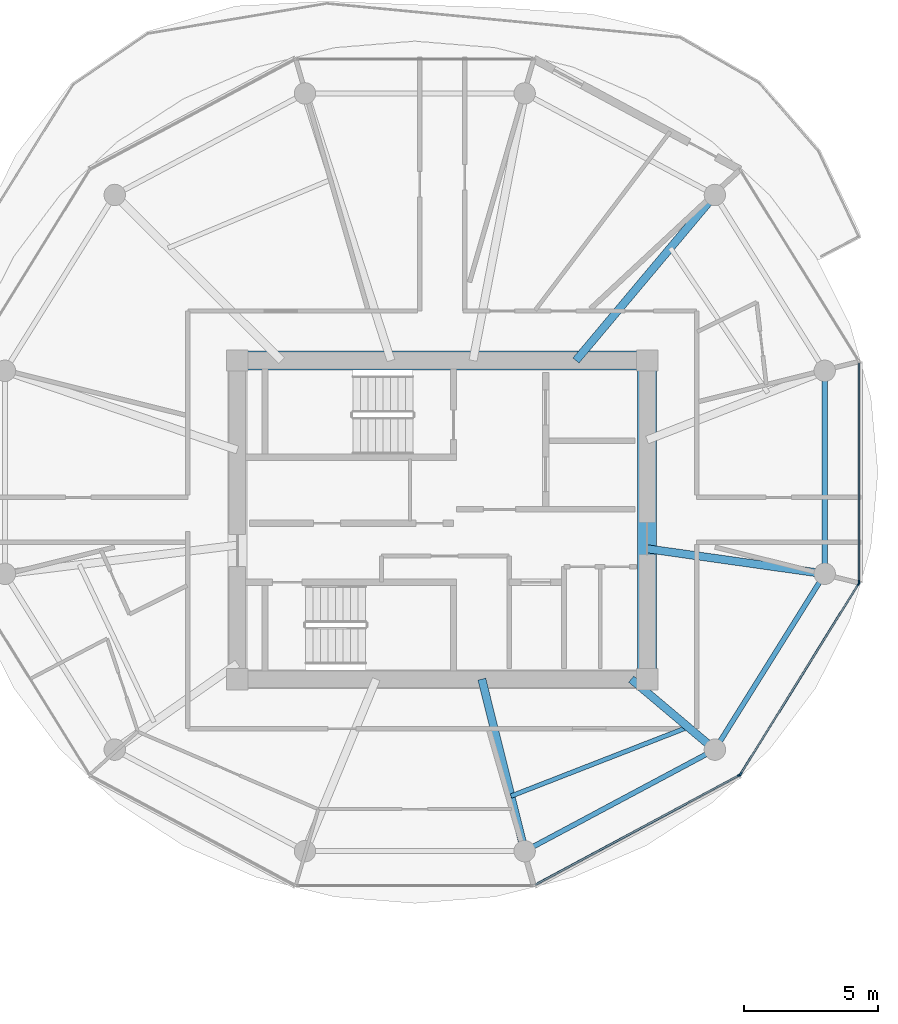
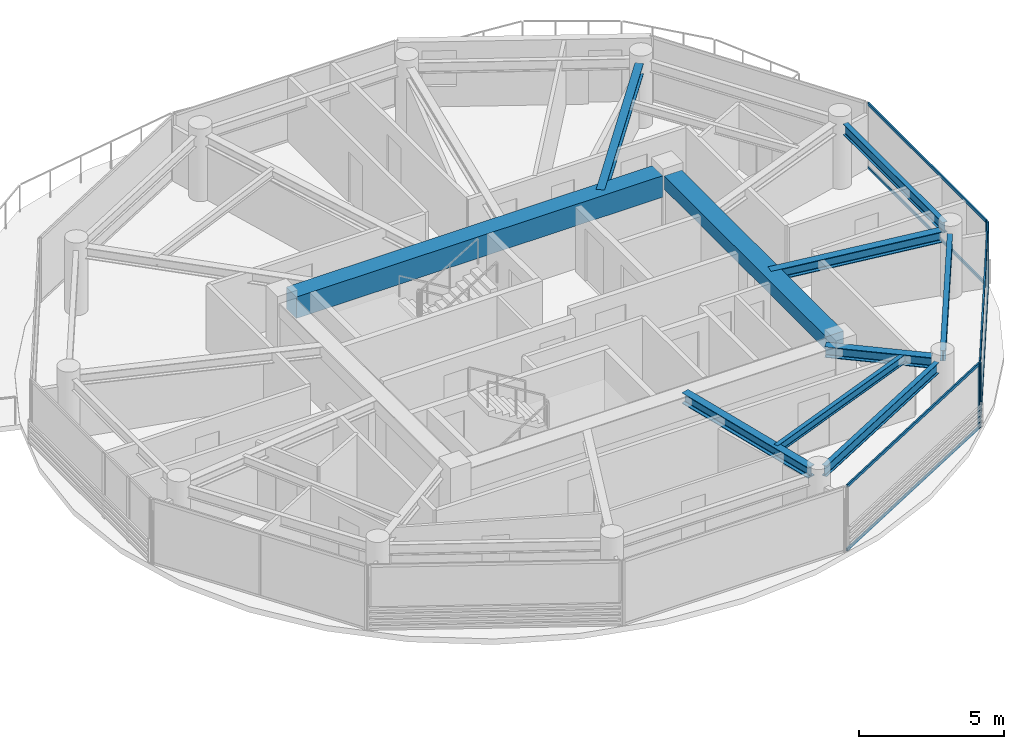
# One storey, part 9 of 22: 10 beams, 10 members, 3 elements without a shape of their own.
"""IFC4 building model written with IfcOpenShell, lengths in metres."""

from ifc_helpers import new_model, si_unit, direction, frame, origin, origin_2d, place, context, subcontext, project, spatial, rectangle, i_section, extrude, source, transform, mapped, material, layer, layer_set, material_profile, profile_set, type_object, type_shapes, element, aggregate, save


model = new_model("IFC4")

# Units and contexts
model_context = context("Model", 3, precision=1e-05, world=origin(), true_north=direction((0.0, 1.0)))
body_context = subcontext(model_context, "Body", "Model", "MODEL_VIEW")
ifc_project = project(units=[si_unit("LENGTHUNIT", "METRE"), si_unit("AREAUNIT", "SQUARE_METRE"), si_unit("VOLUMEUNIT", "CUBIC_METRE"), si_unit("PLANEANGLEUNIT", "RADIAN"), si_unit("MASSUNIT", "GRAM", prefix="KILO")], contexts=[model_context])

# Site, building, storey
site_placement = place(None, origin())
site = spatial("IfcSite", under=ifc_project, at=site_placement, CompositionType="ELEMENT")
building_placement = place(site_placement, origin())
building = spatial("IfcBuilding", under=site, at=building_placement, Name="Norrkilde Senior Care Towers", CompositionType="ELEMENT")
storey_placement = place(building_placement, frame((0.0, 0.0, 183.10009765625)))
storey = spatial("IfcBuildingStorey", under=building, at=storey_placement, Name="L57", CompositionType="ELEMENT", Elevation=183.10009765625)

# Beams
ifc_material_1 = material(Name="Concrete C60/75", Category="concrete")
ifc_material_profile_1 = material_profile(ifc_material_1, rectangle(XDim=0.699951171875, YDim=0.89990234375, at=origin_2d()), Name="RC BM 700x900")
ifc_profile_set_1 = profile_set([ifc_material_profile_1], Name="Concrete C60/75")
beam_type_1 = type_object("IfcBeamType", Name="Core Coupling Girder 700x900", PredefinedType="USERDEFINED", material=ifc_profile_set_1)
shared_shape_1 = source(origin(), body_context, "Body", "SweptSolid", [
    extrude(rectangle(XDim=0.699951171875, YDim=0.89990234375, at=origin_2d()), origin(), (0.0, 0.0, 1.0), 14.5400390625),
])
type_shapes(beam_type_1, [shared_shape_1])
beam_1_placement = place(storey_placement, frame((20.72998046875, 5.949951171875, 2.27978515625), z_axis=(1.0, 0.0, 0.0), x_axis=(0.0, 1.0, 0.0)))
element("IfcBeam", 1, at=beam_1_placement, inside=storey, type_object=beam_type_1, Name="L57 Core E N Coupling Girder", ObjectType="GIRDER", PredefinedType="USERDEFINED", context=body_context, shape_type="MappedRepresentation", body=[
    mapped(shared_shape_1, transform((0.0, 0.0, 0.0), x_axis=(1.0, 0.0, 0.0), y_axis=(0.0, 1.0, 0.0), z_axis=(0.0, 0.0, 1.0), scale=1.0)),
])
ifc_material_profile_2 = material_profile(ifc_material_1, rectangle(XDim=0.699951171875, YDim=0.550048828125, at=origin_2d()), Name="RC BM 700x550")
ifc_profile_set_2 = profile_set([ifc_material_profile_2], Name="Concrete C60/75")
beam_type_2 = type_object("IfcBeamType", Name="Core Portal Coupling Beam 700x550", PredefinedType="USERDEFINED", material=ifc_profile_set_2)
shared_shape_2 = source(origin(), body_context, "Body", "SweptSolid", [
    extrude(rectangle(XDim=0.699951171875, YDim=0.550048828125, at=origin_2d()), origin(), (0.0, 0.0, 1.0), 11.14013671875),
])
type_shapes(beam_type_2, [shared_shape_2])
beam_2_placement = place(storey_placement, frame((35.64990234375, -5.570068359375, 2.454833984375), z_axis=(0.0, 1.0, 0.0), x_axis=(-1.0, 0.0, 0.0)))
element("IfcBeam", 2, at=beam_2_placement, inside=storey, type_object=beam_type_2, Name="L57 Core E E Coupling Girder", ObjectType="GIRDER", PredefinedType="USERDEFINED", context=body_context, shape_type="MappedRepresentation", body=[
    mapped(shared_shape_2, transform((0.0, 0.0, 0.0), x_axis=(1.0, 0.0, 0.0), y_axis=(0.0, 1.0, 0.0), z_axis=(0.0, 0.0, 1.0), scale=1.0)),
])
ifc_material_2 = material(Name="Steel S355", Category="steel")
ifc_material_profile_3 = material_profile(ifc_material_2, i_section(OverallWidth=0.300048828125, OverallDepth=0.449951171875, WebThickness=0.013916015625, FlangeThickness=0.02587890625, FilletRadius=0.027099609375, at=origin_2d()), Name="HEB 450")
ifc_profile_set_3 = profile_set([ifc_material_profile_3], Name="Steel S355")
beam_type_3 = type_object("IfcBeamType", Name="Radial Floor Beam Z3 HEB450", PredefinedType="BEAM", material=ifc_profile_set_3)
shared_shape_3 = source(origin(), body_context, "Body", "SweptSolid", [
    extrude(i_section(OverallWidth=0.300048828125, OverallDepth=0.449951171875, WebThickness=0.013916015625, FlangeThickness=0.02587890625, FilletRadius=0.027099609375, at=origin_2d()), origin(), (0.0, 0.0, 1.0), 7.71337890625),
])
beam_3_placement = place(storey_placement, frame((32.992919921875, 5.949951171875, 2.5048828125), z_axis=(0.642808239864, 0.766027131872, 0.0), x_axis=(-0.766027131872, 0.642808239864, 0.0)))
element("IfcBeam", 3, at=beam_3_placement, inside=storey, type_object=beam_type_3, Name="L57 Drum E Radial Floor Beam 02", PredefinedType="BEAM", context=body_context, shape_type="MappedRepresentation", body=[
    mapped(shared_shape_3, transform((0.0, 0.0, 0.0), x_axis=(1.0, 0.0, 0.0), y_axis=(0.0, 1.0, 0.0), z_axis=(0.0, 0.0, 1.0), scale=1.0)),
])
ifc_material_profile_4 = material_profile(ifc_material_2, i_section(OverallWidth=0.18994140625, OverallDepth=0.449951171875, WebThickness=0.009521484375, FlangeThickness=0.0146484375, FilletRadius=0.02099609375, at=origin_2d()), Name="IPE 450")
ifc_profile_set_4 = profile_set([ifc_material_profile_4], Name="Steel S355")
beam_type_4 = type_object("IfcBeamType", Name="Perimeter Ring Spandrel Z3 IPE450", PredefinedType="SPANDREL", material=ifc_profile_set_4)
shared_shape_4 = source(origin(), body_context, "Body", "SweptSolid", [
    extrude(i_section(OverallWidth=0.18994140625, OverallDepth=0.449951171875, WebThickness=0.009521484375, FlangeThickness=0.0146484375, FilletRadius=0.02099609375, at=origin_2d()), origin(), (0.0, 0.0, 1.0), 6.86328125),
])
beam_4_placement = place(storey_placement, frame((42.284912109375, -1.65625, 2.5048828125), z_axis=(0.0, 1.0, 0.0), x_axis=(-1.0, 0.0, 0.0)))
element("IfcBeam", 4, at=beam_4_placement, inside=storey, type_object=beam_type_4, Name="L57 Drum E Perimeter Spandrel 12", PredefinedType="SPANDREL", context=body_context, shape_type="MappedRepresentation", body=[
    mapped(shared_shape_4, transform((0.0, 0.0, 0.0), x_axis=(1.0, 0.0, 0.0), y_axis=(0.0, 1.0, 0.0), z_axis=(0.0, 0.0, 1.0), scale=1.0)),
])
shared_shape_5 = source(origin(), body_context, "Body", "SweptSolid", [
    extrude(i_section(OverallWidth=0.18994140625, OverallDepth=0.449951171875, WebThickness=0.009521484375, FlangeThickness=0.0146484375, FilletRadius=0.02099609375, at=origin_2d()), origin(), (0.0, 0.0, 1.0), 7.023193359375),
])
beam_5_placement = place(storey_placement, frame((38.373291015625, -8.2783203125, 2.5048828125), z_axis=(0.529805197269, 0.848119362441, 0.0), x_axis=(-0.848119362441, 0.529805197269, 0.0)))
element("IfcBeam", 5, at=beam_5_placement, inside=storey, type_object=beam_type_4, Name="L57 Drum E Perimeter Spandrel 11", PredefinedType="SPANDREL", context=body_context, shape_type="MappedRepresentation", body=[
    mapped(shared_shape_5, transform((0.0, 0.0, 0.0), x_axis=(1.0, 0.0, 0.0), y_axis=(0.0, 1.0, 0.0), z_axis=(0.0, 0.0, 1.0), scale=1.0)),
])
shared_shape_6 = source(origin(), body_context, "Body", "SweptSolid", [
    extrude(i_section(OverallWidth=0.300048828125, OverallDepth=0.449951171875, WebThickness=0.013916015625, FlangeThickness=0.02587890625, FilletRadius=0.027099609375, at=origin_2d()), origin(), (0.0, 0.0, 1.0), 6.3408203125),
])
beam_6_placement = place(storey_placement, frame((35.64990234375, -1.079833984375, 2.5048828125), z_axis=(0.990184519576, -0.139766294905, 0.0), x_axis=(0.139766294905, 0.990184519576, 0.0)))
element("IfcBeam", 6, at=beam_6_placement, inside=storey, type_object=beam_type_3, Name="L57 Drum E Radial Floor Beam 12", PredefinedType="BEAM", context=body_context, shape_type="MappedRepresentation", body=[
    mapped(shared_shape_6, transform((0.0, 0.0, 0.0), x_axis=(1.0, 0.0, 0.0), y_axis=(0.0, 1.0, 0.0), z_axis=(0.0, 0.0, 1.0), scale=1.0)),
])
shared_shape_7 = source(origin(), body_context, "Body", "SweptSolid", [
    extrude(i_section(OverallWidth=0.18994140625, OverallDepth=0.449951171875, WebThickness=0.009521484375, FlangeThickness=0.0146484375, FilletRadius=0.02099609375, at=origin_2d()), origin(), (0.0, 0.0, 1.0), 7.333984375),
])
type_shapes(beam_type_4, [shared_shape_4, shared_shape_5, shared_shape_7])
beam_7_placement = place(storey_placement, frame((31.394775390625, -12.2060546875, 2.5048828125), z_axis=(0.882234038987, 0.470811109101, 0.0), x_axis=(-0.470811109101, 0.882234038987, 0.0)))
element("IfcBeam", 7, at=beam_7_placement, inside=storey, type_object=beam_type_4, Name="L57 Drum E Perimeter Spandrel 10", PredefinedType="SPANDREL", context=body_context, shape_type="MappedRepresentation", body=[
    mapped(shared_shape_7, transform((0.0, 0.0, 0.0), x_axis=(1.0, 0.0, 0.0), y_axis=(0.0, 1.0, 0.0), z_axis=(0.0, 0.0, 1.0), scale=1.0)),
])
shared_shape_8 = source(origin(), body_context, "Body", "SweptSolid", [
    extrude(i_section(OverallWidth=0.300048828125, OverallDepth=0.449951171875, WebThickness=0.013916015625, FlangeThickness=0.02587890625, FilletRadius=0.027099609375, at=origin_2d()), origin(), (0.0, 0.0, 1.0), 3.7265625),
])
beam_8_placement = place(storey_placement, frame((35.058349609375, -5.949951171875, 2.5048828125), z_axis=(0.764567902106, -0.644543189453, 0.0), x_axis=(0.644543189453, 0.764567902106, 0.0)))
element("IfcBeam", 8, at=beam_8_placement, inside=storey, type_object=beam_type_3, Name="L57 Drum E Radial Floor Beam 11", PredefinedType="BEAM", context=body_context, shape_type="MappedRepresentation", body=[
    mapped(shared_shape_8, transform((0.0, 0.0, 0.0), x_axis=(1.0, 0.0, 0.0), y_axis=(0.0, 1.0, 0.0), z_axis=(0.0, 0.0, 1.0), scale=1.0)),
])
shared_shape_9 = source(origin(), body_context, "Body", "SweptSolid", [
    extrude(i_section(OverallWidth=0.300048828125, OverallDepth=0.449951171875, WebThickness=0.013916015625, FlangeThickness=0.02587890625, FilletRadius=0.027099609375, at=origin_2d()), origin(), (0.0, 0.0, 1.0), 6.26123046875),
])
type_shapes(beam_type_3, [shared_shape_3, shared_shape_6, shared_shape_8, shared_shape_9])
beam_9_placement = place(storey_placement, frame((29.4794921875, -5.949951171875, 2.5048828125), z_axis=(0.241324375921, -0.970444509277, 0.0), x_axis=(0.970444509277, 0.241324375921, 0.0)))
element("IfcBeam", 9, at=beam_9_placement, inside=storey, type_object=beam_type_3, Name="L57 Drum E Radial Floor Beam 10", PredefinedType="BEAM", context=body_context, shape_type="MappedRepresentation", body=[
    mapped(shared_shape_9, transform((0.0, 0.0, 0.0), x_axis=(1.0, 0.0, 0.0), y_axis=(0.0, 1.0, 0.0), z_axis=(0.0, 0.0, 1.0), scale=1.0)),
])
ifc_material_profile_5 = material_profile(ifc_material_2, i_section(OverallWidth=0.169921875, OverallDepth=0.360107421875, WebThickness=0.008056640625, FlangeThickness=0.0126953125, FilletRadius=0.01806640625, at=origin_2d()), Name="IPE 360")
ifc_profile_set_5 = profile_set([ifc_material_profile_5], Name="Steel S355")
beam_type_5 = type_object("IfcBeamType", Name="Secondary Floor Joist IPE360", PredefinedType="JOIST", material=ifc_profile_set_5)
shared_shape_10 = source(origin(), body_context, "Body", "SweptSolid", [
    extrude(i_section(OverallWidth=0.169921875, OverallDepth=0.360107421875, WebThickness=0.008056640625, FlangeThickness=0.0126953125, FilletRadius=0.01806640625, at=origin_2d()), origin(), (0.0, 0.0, 1.0), 7.1015625),
])
type_shapes(beam_type_5, [shared_shape_10])
beam_10_placement = place(storey_placement, frame((30.56591796875, -10.3193359375, 2.5498046875), z_axis=(0.931761231292, 0.363071629106, 0.0), x_axis=(-0.363071629106, 0.931761231292, 0.0)))
element("IfcBeam", 10, at=beam_10_placement, inside=storey, type_object=beam_type_5, Name="L57 Drum E Secondary Floor Joist 4", PredefinedType="JOIST", context=body_context, shape_type="MappedRepresentation", body=[
    mapped(shared_shape_10, transform((0.0, 0.0, 0.0), x_axis=(1.0, 0.0, 0.0), y_axis=(0.0, 1.0, 0.0), z_axis=(0.0, 0.0, 1.0), scale=1.0)),
])

# Curtain wall, members
ifc_material_3 = material(Name="Triple Low-E Insulated Glazing", Category="glass")
ifc_layer = layer(ifc_material_3, 0.18994140625)
ifc_layer_set = layer_set([ifc_layer], Name="Triple Low-E Insulated Glazing")
curtain_wall_type = type_object("IfcCurtainWallType", Name="CW4 Zone 3 Senior Residence Curtain Wall", PredefinedType="NOTDEFINED", material=ifc_layer_set)
curtain_wall_1_placement = place(storey_placement, origin())
curtain_wall_1 = element("IfcCurtainWall", 11, at=curtain_wall_1_placement, inside=storey, type_object=curtain_wall_type, Name="L57 Drum E Curtain Wall 10", PredefinedType="NOTDEFINED")
ifc_material_4 = material(Name="Anodised Aluminium", Category="aluminium")
ifc_material_profile_6 = material_profile(ifc_material_4, rectangle(XDim=0.06005859375, YDim=0.1201171875, at=origin_2d()), Name="ALU TRAN 60x120")
ifc_profile_set_6 = profile_set([ifc_material_profile_6], Name="Anodised Aluminium")
member_type_1 = type_object("IfcMemberType", Name="Curtain Wall Transom Typical 60x120", PredefinedType="USERDEFINED", material=ifc_profile_set_6)
shared_shape_11 = source(origin(), body_context, "Body", "SweptSolid", [
    extrude(rectangle(XDim=0.06005859375, YDim=0.1201171875, at=origin_2d()), origin(), (0.0, 0.0, 1.0), 8.301513671875),
])
member_1_placement = place(storey_placement, frame((43.535400390625, -2.415771484375, 0.02978515625), z_axis=(-0.527368718394, -0.849636531029, 0.0), x_axis=(0.849636531029, -0.527368718394, 0.0)))
member_1 = element("IfcMember", 12, at=member_1_placement, type_object=member_type_1, Name="CW-4 transom 1.1", ObjectType="TRANSOM", PredefinedType="USERDEFINED", context=body_context, shape_type="MappedRepresentation", body=[
    mapped(shared_shape_11, transform((0.0, 0.0, 0.0), x_axis=(1.0, 0.0, 0.0), y_axis=(0.0, 1.0, 0.0), z_axis=(0.0, 0.0, 1.0), scale=1.0)),
])
member_2_placement = place(storey_placement, frame((43.535400390625, -2.415771484375, 2.699951171875), z_axis=(-0.527368718394, -0.849636531029, 0.0), x_axis=(0.849636531029, -0.527368718394, 0.0)))
member_2 = element("IfcMember", 13, at=member_2_placement, type_object=member_type_1, Name="CW-4 transom 1.2", ObjectType="TRANSOM", PredefinedType="USERDEFINED", context=body_context, shape_type="MappedRepresentation", body=[
    mapped(shared_shape_11, transform((0.0, 0.0, 0.0), x_axis=(1.0, 0.0, 0.0), y_axis=(0.0, 1.0, 0.0), z_axis=(0.0, 0.0, 1.0), scale=1.0)),
])

curtain_wall_2_placement = place(storey_placement, origin())
curtain_wall_2 = element("IfcCurtainWall", 14, at=curtain_wall_2_placement, inside=storey, type_object=curtain_wall_type, Name="L57 Drum E Curtain Wall 09", PredefinedType="NOTDEFINED")
shared_shape_12 = source(origin(), body_context, "Body", "SweptSolid", [
    extrude(rectangle(XDim=0.06005859375, YDim=0.1201171875, at=origin_2d()), origin(), (0.0, 0.0, 1.0), 8.612060546875),
])
member_3_placement = place(storey_placement, frame((39.06591796875, -9.554931640625, 0.02978515625), z_axis=(-0.881000337462, -0.473115636384, 0.0), x_axis=(0.473115636384, -0.881000337462, 0.0)))
member_3 = element("IfcMember", 15, at=member_3_placement, type_object=member_type_1, Name="CW-4 transom 1.1", ObjectType="TRANSOM", PredefinedType="USERDEFINED", context=body_context, shape_type="MappedRepresentation", body=[
    mapped(shared_shape_12, transform((0.0, 0.0, 0.0), x_axis=(1.0, 0.0, 0.0), y_axis=(0.0, 1.0, 0.0), z_axis=(0.0, 0.0, 1.0), scale=1.0)),
])
member_4_placement = place(storey_placement, frame((39.06591796875, -9.554931640625, 2.699951171875), z_axis=(-0.881000337462, -0.473115636384, 0.0), x_axis=(0.473115636384, -0.881000337462, 0.0)))
member_4 = element("IfcMember", 16, at=member_4_placement, type_object=member_type_1, Name="CW-4 transom 1.2", ObjectType="TRANSOM", PredefinedType="USERDEFINED", context=body_context, shape_type="MappedRepresentation", body=[
    mapped(shared_shape_12, transform((0.0, 0.0, 0.0), x_axis=(1.0, 0.0, 0.0), y_axis=(0.0, 1.0, 0.0), z_axis=(0.0, 0.0, 1.0), scale=1.0)),
])

curtain_wall_3_placement = place(storey_placement, origin())
curtain_wall_3 = element("IfcCurtainWall", 17, at=curtain_wall_3_placement, inside=storey, type_object=curtain_wall_type, Name="L57 Drum E Curtain Wall 11", PredefinedType="NOTDEFINED")
shared_shape_13 = source(origin(), body_context, "Body", "SweptSolid", [
    extrude(rectangle(XDim=0.06005859375, YDim=0.1201171875, at=origin_2d()), origin(), (0.0, 0.0, 1.0), 8.141845703125),
])
type_shapes(member_type_1, [shared_shape_11, shared_shape_12, shared_shape_13])
member_5_placement = place(storey_placement, frame((43.569580078125, 5.84619140625, 0.02978515625), z_axis=(0.0, -1.0, 0.0), x_axis=(1.0, 0.0, 0.0)))
member_5 = element("IfcMember", 18, at=member_5_placement, type_object=member_type_1, Name="CW-4 transom 1.1", ObjectType="TRANSOM", PredefinedType="USERDEFINED", context=body_context, shape_type="MappedRepresentation", body=[
    mapped(shared_shape_13, transform((0.0, 0.0, 0.0), x_axis=(1.0, 0.0, 0.0), y_axis=(0.0, 1.0, 0.0), z_axis=(0.0, 0.0, 1.0), scale=1.0)),
])
member_6_placement = place(storey_placement, frame((43.569580078125, 5.84619140625, 2.699951171875), z_axis=(0.0, -1.0, 0.0), x_axis=(1.0, 0.0, 0.0)))
member_6 = element("IfcMember", 19, at=member_6_placement, type_object=member_type_1, Name="CW-4 transom 1.2", ObjectType="TRANSOM", PredefinedType="USERDEFINED", context=body_context, shape_type="MappedRepresentation", body=[
    mapped(shared_shape_13, transform((0.0, 0.0, 0.0), x_axis=(1.0, 0.0, 0.0), y_axis=(0.0, 1.0, 0.0), z_axis=(0.0, 0.0, 1.0), scale=1.0)),
])

# Member
ifc_material_profile_7 = material_profile(ifc_material_4, rectangle(XDim=0.06494140625, YDim=0.14990234375, at=origin_2d()), Name="ALU MULL 65x150")
ifc_profile_set_7 = profile_set([ifc_material_profile_7], Name="Anodised Aluminium")
member_type_2 = type_object("IfcMemberType", Name="Curtain Wall Mullion Z3-Z4 65x150", PredefinedType="MULLION", material=ifc_profile_set_7)
shared_shape_14 = source(origin(), body_context, "Body", "SweptSolid", [
    extrude(rectangle(XDim=0.06494140625, YDim=0.14990234375, at=origin_2d()), origin(), (0.0, 0.0, 1.0), 2.72998046875),
])
type_shapes(member_type_2, [shared_shape_14])
member_7_placement = place(storey_placement, frame((39.094482421875, -9.53955078125, 0.0), z_axis=(0.0, 0.0, 1.0), x_axis=(0.47311715104, -0.880999524059, 0.0)))
member_7 = element("IfcMember", 20, at=member_7_placement, type_object=member_type_2, Name="CW-4 mullion 1", PredefinedType="MULLION", context=body_context, shape_type="MappedRepresentation", body=[
    mapped(shared_shape_14, transform((0.0, 0.0, 0.0), x_axis=(1.0, 0.0, 0.0), y_axis=(0.0, 1.0, 0.0), z_axis=(0.0, 0.0, 1.0), scale=1.0)),
])

aggregate(curtain_wall_2, [member_7, member_3, member_4])

member_8_placement = place(storey_placement, frame((43.552490234375, -2.38818359375, 0.0), z_axis=(0.0, 0.0, 1.0), x_axis=(0.84963405474, -0.52737270789, 0.0)))
member_8 = element("IfcMember", 21, at=member_8_placement, type_object=member_type_2, Name="CW-4 mullion 1", PredefinedType="MULLION", context=body_context, shape_type="MappedRepresentation", body=[
    mapped(shared_shape_14, transform((0.0, 0.0, 0.0), x_axis=(1.0, 0.0, 0.0), y_axis=(0.0, 1.0, 0.0), z_axis=(0.0, 0.0, 1.0), scale=1.0)),
])

member_9_placement = place(storey_placement, frame((39.14013671875, -9.49658203125, 0.0), z_axis=(0.0, 0.0, 1.0), x_axis=(0.84963405474, -0.52737270789, 0.0)))
member_9 = element("IfcMember", 22, at=member_9_placement, type_object=member_type_2, Name="CW-4 mullion 2", PredefinedType="MULLION", context=body_context, shape_type="MappedRepresentation", body=[
    mapped(shared_shape_14, transform((0.0, 0.0, 0.0), x_axis=(1.0, 0.0, 0.0), y_axis=(0.0, 1.0, 0.0), z_axis=(0.0, 0.0, 1.0), scale=1.0)),
])

aggregate(curtain_wall_1, [member_8, member_9, member_1, member_2])

member_10_placement = place(storey_placement, frame((43.569580078125, -2.328125, 0.0), z_axis=(0.0, 0.0, 1.0), x_axis=(1.0, 0.0, 0.0)))
member_10 = element("IfcMember", 23, at=member_10_placement, type_object=member_type_2, Name="CW-4 mullion 2", PredefinedType="MULLION", context=body_context, shape_type="MappedRepresentation", body=[
    mapped(shared_shape_14, transform((0.0, 0.0, 0.0), x_axis=(1.0, 0.0, 0.0), y_axis=(0.0, 1.0, 0.0), z_axis=(0.0, 0.0, 1.0), scale=1.0)),
])

aggregate(curtain_wall_3, [member_10, member_5, member_6])

save(model, "model.ifc")
